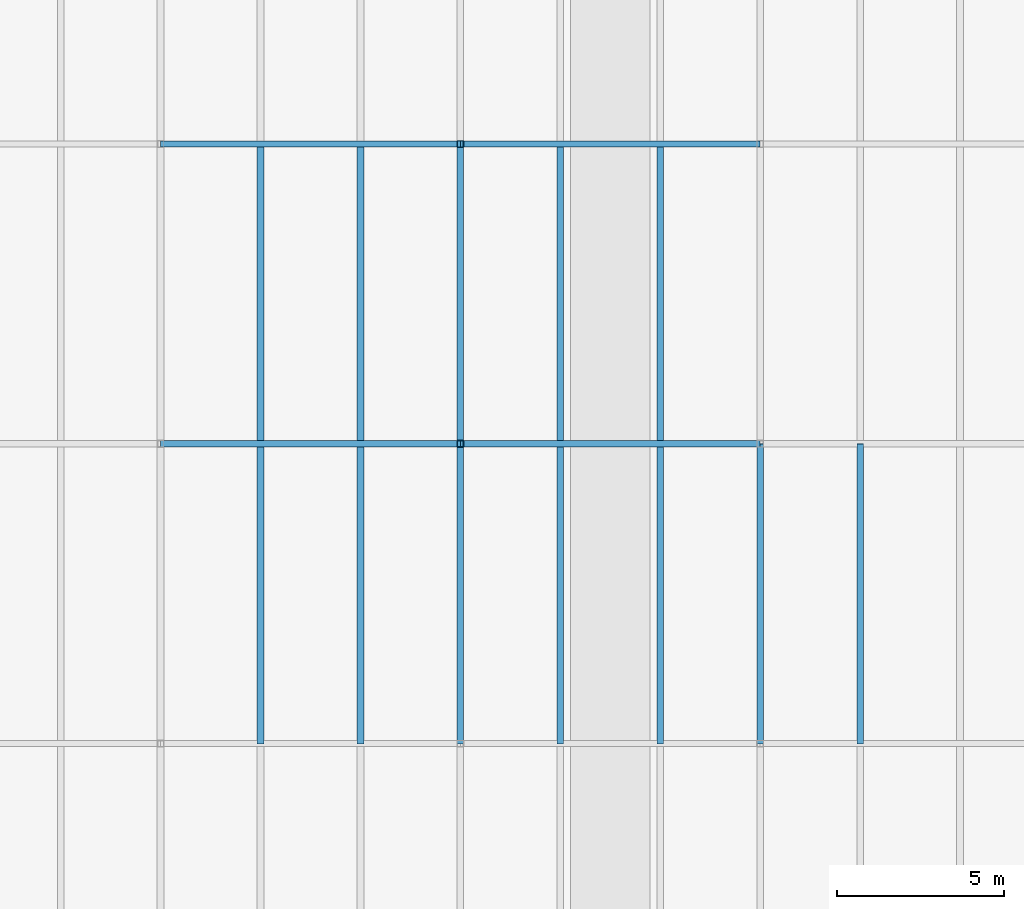
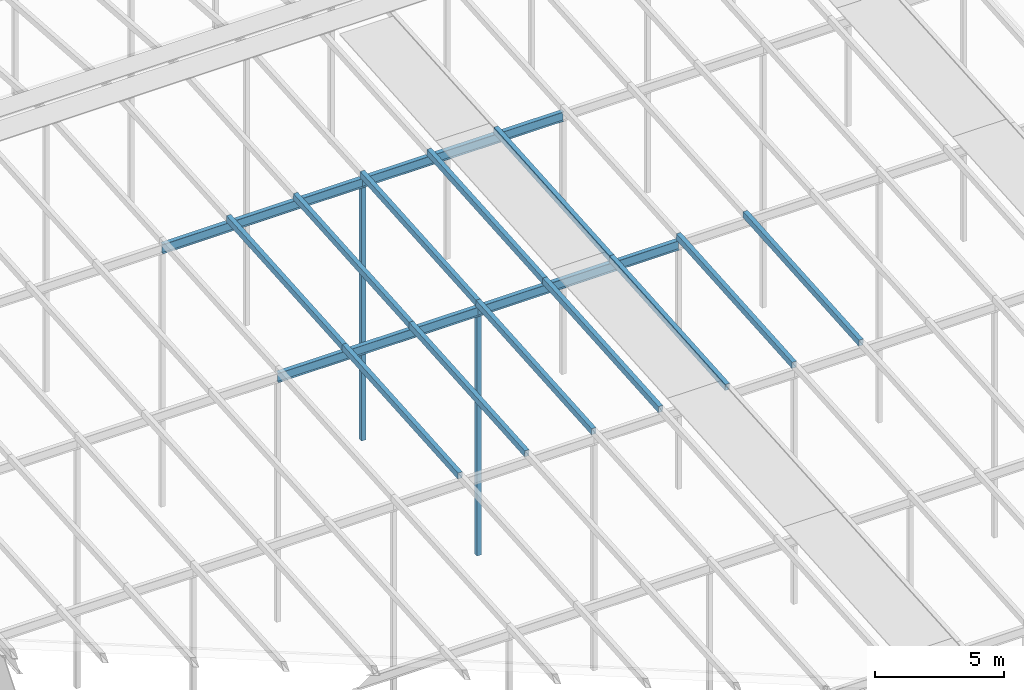
# One storey, part 12 of 84: 14 members, 4 beams.
"""IFC4 building model written with IfcOpenShell, lengths in metres."""

from ifc_helpers import new_model, si_unit, direction, frame, origin, origin_2d, place, context, subcontext, project, spatial, hollow_rectangle, i_section, extrude, material, material_profile, profile_set, type_object, element, save


model = new_model("IFC4")

# Units and contexts
model_context = context("Model", 3, precision=1e-05, world=origin(), true_north=direction((0.0, 1.0)))
body_context = subcontext(model_context, "Body", "Model", "MODEL_VIEW")
ifc_project = project(units=[si_unit("LENGTHUNIT", "METRE"), si_unit("AREAUNIT", "SQUARE_METRE"), si_unit("VOLUMEUNIT", "CUBIC_METRE"), si_unit("PLANEANGLEUNIT", "RADIAN"), si_unit("MASSUNIT", "GRAM", prefix="KILO")], contexts=[model_context])

# Site, building, storey
site_placement = place(None, origin())
site = spatial("IfcSite", under=ifc_project, at=site_placement, CompositionType="ELEMENT")
building_placement = place(site_placement, origin())
building = spatial("IfcBuilding", under=site, at=building_placement, Name="Silverbay Arena", CompositionType="ELEMENT")
storey_placement = place(building_placement, frame((0.0, 0.0, 47.10009765625)))
storey = spatial("IfcBuildingStorey", under=building, at=storey_placement, Name="ROOF", CompositionType="ELEMENT", Elevation=47.10009765625)

# Members
ifc_material_1 = material(Name="Steel S355", Category="steel")
ifc_material_profile_1 = material_profile(ifc_material_1, hollow_rectangle(XDim=0.199951171875, YDim=0.300048828125, WallThickness=0.00634765625, at=origin_2d()), Name="RHS 300x200x6.3")
ifc_profile_set_1 = profile_set([ifc_material_profile_1], Name="Steel S355")
member_type_1 = type_object("IfcMemberType", Name="Purlin RHS 300x200x6.3", PredefinedType="PURLIN", material=ifc_profile_set_1)
for number, where, z_axis, x_axis, name in (
    (1, (102.0, 54.0, 10.699462890625), (0.0, 0.997400967367, 0.07205074805), (-1.0, 0.0, 0.0), "ROOF PURLIN crown line 08 bay 04"),
    (2, (102.0, 63.0, 11.349609375), (0.0, 0.997402911363, 0.072023832195), (-1.0, 0.0, 0.0), "ROOF PURLIN crown line 08 bay 05"),
    (3, (105.0, 54.0, 10.699462890625), (0.0, 0.997400967367, 0.07205074805), (-1.0, 0.0, 0.0), "ROOF PURLIN crown line 09 bay 04"),
    (4, (105.0, 63.0, 11.349609375), (0.0, 0.997402911363, 0.072023832195), (-1.0, 0.0, 0.0), "ROOF PURLIN crown line 09 bay 05"),
    (5, (108.0, 54.0, 10.699462890625), (0.0, 0.997400967367, 0.07205074805), (-1.0, 0.0, 0.0), "ROOF PURLIN crown line 10 bay 04"),
    (6, (108.0, 63.0, 11.349609375), (0.0, 0.997402911363, 0.072023832195), (-1.0, 0.0, 0.0), "ROOF PURLIN crown line 10 bay 05"),
    (7, (111.0, 54.0, 10.699462890625), (0.0, 0.997400967367, 0.07205074805), (-1.0, 0.0, 0.0), "ROOF PURLIN crown line 11 bay 04"),
    (8, (111.0, 63.0, 11.349609375), (0.0, 0.997402911363, 0.072023832195), (-1.0, 0.0, 0.0), "ROOF PURLIN crown line 11 bay 05"),
    (9, (114.0, 54.0, 10.699462890625), (0.0, 0.997400967367, 0.07205074805), (-1.0, 0.0, 0.0), "ROOF PURLIN crown line 12 bay 04"),
    (10, (114.0, 63.0, 11.349609375), (0.0, 0.997402911363, 0.072023832195), (-1.0, 0.0, 0.0), "ROOF PURLIN crown line 12 bay 05"),
    (11, (117.0, 54.0, 10.699462890625), (0.0, 0.997400967367, 0.07205074805), (-1.0, 0.0, 0.0), "ROOF PURLIN crown line 13 bay 04"),
    (12, (120.0, 54.0, 10.699462890625), (0.0, 0.997400967367, 0.07205074805), (-1.0, 0.0, 0.0), "ROOF PURLIN crown line 14 bay 04"),
):
    element("IfcMember", number, at=place(storey_placement, frame(where, z_axis=z_axis, x_axis=x_axis)), inside=storey, type_object=member_type_1, Name=name, PredefinedType="PURLIN", context=body_context, shape_type="SweptSolid", body=[
        extrude(hollow_rectangle(XDim=0.199951171875, YDim=0.300048828125, WallThickness=0.00634765625, at=origin_2d()), origin(), (0.0, 0.0, 1.0), 9.0234375),
    ])

# Beams
ifc_material_2 = material(Name="Steel S355", Category="steel")
ifc_material_profile_2 = material_profile(ifc_material_2, i_section(OverallWidth=0.18994140625, OverallDepth=0.453369140625, WebThickness=0.008544921875, FlangeThickness=0.0126953125, at=origin_2d()), Name="UB 457x191x67")
ifc_profile_set_2 = profile_set([ifc_material_profile_2], Name="Steel S355")
beam_type = type_object("IfcBeamType", Name="Ring beam UB 457x191x67", PredefinedType="BEAM", material=ifc_profile_set_2)
for number, where, z_axis, x_axis, name in (
    (13, (99.0, 63.0, 10.972412109375), (1.0, 0.0, 0.0), (0.0, 1.0, 0.0), "RING BEAM crown row 05 12-13"),
    (14, (108.0, 63.0, 10.972412109375), (1.0, 0.0, 0.0), (0.0, 1.0, 0.0), "RING BEAM crown row 05 13-14"),
    (15, (99.0, 72.0, 11.622314453125), (1.0, 0.0, 0.0), (0.0, 1.0, 0.0), "RING BEAM crown row 06 12-13"),
    (16, (108.0, 72.0, 11.622314453125), (1.0, 0.0, 0.0), (0.0, 1.0, 0.0), "RING BEAM crown row 06 13-14"),
):
    element("IfcBeam", number, at=place(storey_placement, frame(where, z_axis=z_axis, x_axis=x_axis)), inside=storey, type_object=beam_type, Name=name, PredefinedType="BEAM", context=body_context, shape_type="SweptSolid", body=[
        extrude(i_section(OverallWidth=0.18994140625, OverallDepth=0.453369140625, WebThickness=0.008544921875, FlangeThickness=0.0126953125, at=origin_2d()), origin(), (0.0, 0.0, 1.0), 9.0),
    ])

# Members
ifc_material_3 = material(Name="Steel S355", Category="steel")
ifc_material_profile_3 = material_profile(ifc_material_3, hollow_rectangle(XDim=0.199951171875, YDim=0.199951171875, WallThickness=0.008056640625, at=origin_2d()), Name="SHS 200x200x8")
ifc_profile_set_3 = profile_set([ifc_material_profile_3], Name="Steel S355")
member_type_2 = type_object("IfcMemberType", Name="Roof post SHS 200x200x8", PredefinedType="POST", material=ifc_profile_set_3)
member_1_placement = place(storey_placement, frame((108.0, 63.0, -0.60009765625), z_axis=(0.0, 0.0, 1.0), x_axis=(1.0, 0.0, 0.0)))
element("IfcMember", 17, at=member_1_placement, inside=storey, type_object=member_type_2, Name="ROOF CROWN POST 13 row 05", PredefinedType="POST", context=body_context, shape_type="SweptSolid", body=[
    extrude(hollow_rectangle(XDim=0.199951171875, YDim=0.199951171875, WallThickness=0.008056640625, at=origin_2d()), origin(), (0.0, 0.0, 1.0), 11.345703125),
])
member_2_placement = place(storey_placement, frame((108.0, 72.0, -0.60009765625), z_axis=(0.0, 0.0, 1.0), x_axis=(1.0, 0.0, 0.0)))
element("IfcMember", 18, at=member_2_placement, inside=storey, type_object=member_type_2, Name="ROOF CROWN POST 13 row 06", PredefinedType="POST", context=body_context, shape_type="SweptSolid", body=[
    extrude(hollow_rectangle(XDim=0.199951171875, YDim=0.199951171875, WallThickness=0.008056640625, at=origin_2d()), origin(), (0.0, 0.0, 1.0), 11.995849609375),
])

save(model, "model.ifc")
